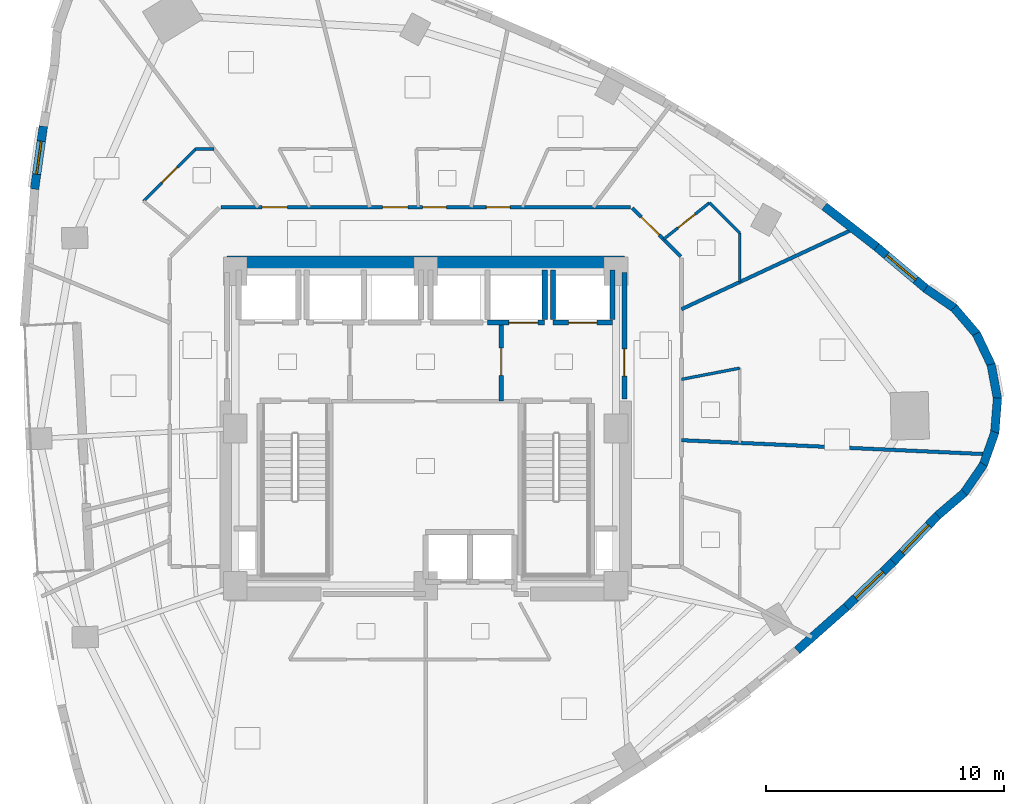
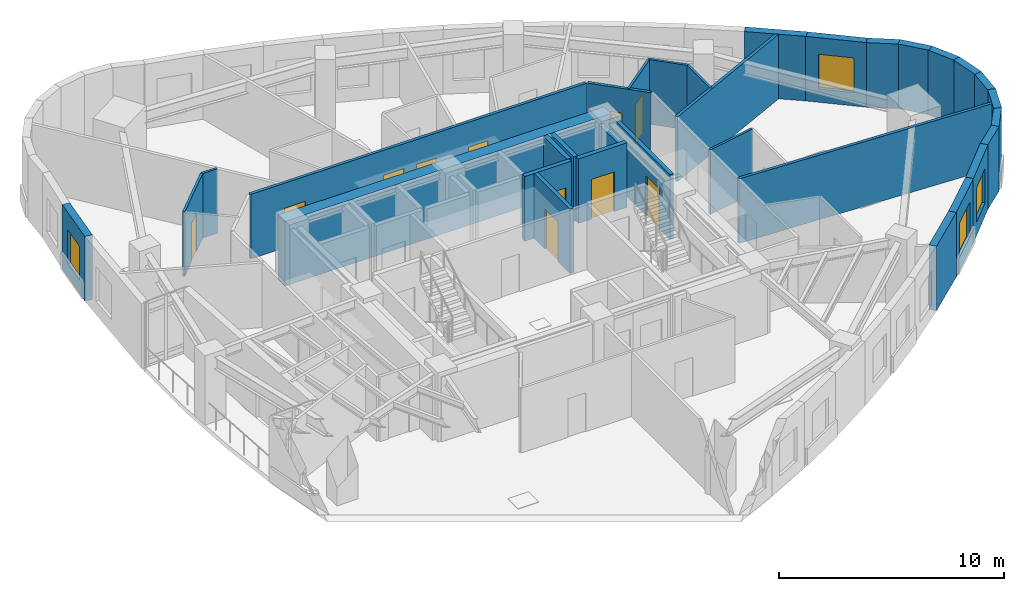
# One storey, part 7 of 12: 32 walls, 11 doors, 4 windows, 15 openings.
"""IFC4 building model written with IfcOpenShell, lengths in metres."""

from ifc_helpers import new_model, si_unit, direction, frame, frame_2d, origin, place, context, subcontext, project, spatial, rectangle, extrude, material, layer, layer_set, type_object, element, fill, save


model = new_model("IFC4")

# Units and contexts
model_context = context("Model", 3, precision=1e-05, world=origin(), true_north=direction((0.0, 1.0)))
body_context = subcontext(model_context, "Body", "Model", "MODEL_VIEW")
ifc_project = project(units=[si_unit("LENGTHUNIT", "METRE"), si_unit("AREAUNIT", "SQUARE_METRE"), si_unit("VOLUMEUNIT", "CUBIC_METRE"), si_unit("PLANEANGLEUNIT", "RADIAN"), si_unit("MASSUNIT", "GRAM", prefix="KILO")], contexts=[model_context])

# Site, building, storey
site_placement = place(None, origin())
site = spatial("IfcSite", under=ifc_project, at=site_placement, CompositionType="ELEMENT")
building_placement = place(site_placement, origin())
building = spatial("IfcBuilding", under=site, at=building_placement, Name="Ndelora Gate Hotel", CompositionType="ELEMENT")
storey_placement = place(building_placement, frame((0.0, 0.0, 138.5)))
storey = spatial("IfcBuildingStorey", under=building, at=storey_placement, Name="L34", CompositionType="ELEMENT", Elevation=138.5)

# Wall, opening, window
ifc_material_1 = material(Name="Clay Brick Masonry", Category="masonry")
ifc_layer_1 = layer(ifc_material_1, 0.360107421875)
ifc_layer_set_1 = layer_set([ifc_layer_1], Name="Clay Brick Masonry")
wall_type_1 = type_object("IfcWallType", Name="WL-BRICK-360", PredefinedType="SOLIDWALL", material=ifc_layer_set_1)
wall_1_placement = place(storey_placement, frame((-16.43603515625, 10.05908203125, 0.0), z_axis=(0.0, 0.0, 1.0), x_axis=(0.138719592598, 0.990331699296, 0.0)))
wall_1 = element("IfcWall", 1, at=wall_1_placement, inside=storey, type_object=wall_type_1, Name="L34 Tower Brick Pier-and-Spandrel Wall TWR-10", PredefinedType="SOLIDWALL", context=body_context, shape_type="SweptSolid", body=[
    extrude(rectangle(XDim=2.669921875, YDim=0.360107421875, at=frame_2d((1.3349609375, 0.0))), origin(), (0.0, 0.0, 1.0), 3.5),
])
opening_1_placement = place(wall_1_placement, frame((0.635009765625, 0.0, 0.719970703125)))
opening_1 = element("IfcOpeningElement", 2, at=opening_1_placement, cuts=wall_1, Name="Opening W02", PredefinedType="OPENING", context=body_context, shape_type="SweptSolid", body=[
    extrude(rectangle(XDim=1.39990234375, YDim=1.840087890625, at=frame_2d((0.699951171875, 0.919921875))), frame((0.0, 0.18994140625, 0.0), z_axis=(0.0, -1.0, 0.0), x_axis=(1.0, 0.0, 0.0)), (0.0, 0.0, 1.0), 0.380126953125),
])
ifc_material_2 = material(Name="Insulated Low-E Double Glazing in Bronze Aluminium Frame", Category="aluminium")
window_type_1 = type_object("IfcWindowType", Name="WN-DEEP-1400", PartitioningType="SINGLE_PANEL", PredefinedType="WINDOW", material=ifc_material_2)
window_1_placement = place(opening_1_placement, origin())
window_1 = element("IfcWindow", 3, at=window_1_placement, inside=storey, type_object=window_type_1, Name="L34 Deep-Set Brick-Pier Window W02", OverallHeight=1.840087890625, OverallWidth=1.39990234375, PartitioningType="SINGLE_PANEL", PredefinedType="WINDOW", context=body_context, shape_type="SweptSolid", body=[
    extrude(rectangle(XDim=1.39990234375, YDim=1.840087890625, at=frame_2d((0.699951171875, 0.919921875))), frame((0.0, 0.030029296875, 0.0), z_axis=(0.0, -1.0, 0.0), x_axis=(1.0, 0.0, 0.0)), (0.0, 0.0, 1.0), 0.06005859375),
])
fill(opening_1, window_1)

# Wall
wall_2_placement = place(storey_placement, frame((17.67578125, -7.498046875, 0.0), z_axis=(0.0, 0.0, 1.0), x_axis=(-0.749310700852, -0.662218599549, 0.0)))
element("IfcWall", 4, at=wall_2_placement, inside=storey, type_object=wall_type_1, Name="L34 Tower Brick Pier-and-Spandrel Wall TWR-36", PredefinedType="SOLIDWALL", context=body_context, shape_type="SweptSolid", body=[
    extrude(rectangle(XDim=2.75830078125, YDim=0.360107421875, at=frame_2d((1.379150390625, 0.0))), origin(), (0.0, 0.0, 1.0), 3.5),
])

# Wall, opening, window
wall_3_placement = place(storey_placement, frame((19.642822265625, -5.6083984375, 0.0), z_axis=(0.0, 0.0, 1.0), x_axis=(-0.721375025509, -0.692544635797, 0.0)))
wall_3 = element("IfcWall", 5, at=wall_3_placement, inside=storey, type_object=wall_type_1, Name="L34 Tower Brick Pier-and-Spandrel Wall TWR-37", PredefinedType="SOLIDWALL", context=body_context, shape_type="SweptSolid", body=[
    extrude(rectangle(XDim=2.777587890625, YDim=0.360107421875, at=frame_2d((1.388671875, 0.0))), origin(), (0.0, 0.0, 1.0), 3.5),
])
opening_2_placement = place(wall_3_placement, frame((0.5888671875, 0.0, 0.719970703125)))
opening_2 = element("IfcOpeningElement", 6, at=opening_2_placement, cuts=wall_3, Name="Opening W03", PredefinedType="OPENING", context=body_context, shape_type="SweptSolid", body=[
    extrude(rectangle(XDim=1.60009765625, YDim=1.8798828125, at=frame_2d((0.800048828125, 0.93994140625))), frame((0.0, 0.18994140625, 0.0), z_axis=(0.0, -1.0, 0.0), x_axis=(1.0, 0.0, 0.0)), (0.0, 0.0, 1.0), 0.380126953125),
])
window_type_2 = type_object("IfcWindowType", Name="WN-CORN-2100", PartitioningType="SINGLE_PANEL", PredefinedType="WINDOW", material=ifc_material_2)
window_2_placement = place(opening_2_placement, origin())
window_2 = element("IfcWindow", 7, at=window_2_placement, inside=storey, type_object=window_type_2, Name="L34 Deep-Set Brick-Pier Window W03", OverallHeight=1.8798828125, OverallWidth=1.60009765625, PartitioningType="SINGLE_PANEL", PredefinedType="WINDOW", context=body_context, shape_type="SweptSolid", body=[
    extrude(rectangle(XDim=1.60009765625, YDim=1.8798828125, at=frame_2d((0.800048828125, 0.93994140625))), frame((0.0, 0.030029296875, 0.0), z_axis=(0.0, -1.0, 0.0), x_axis=(1.0, 0.0, 0.0)), (0.0, 0.0, 1.0), 0.06005859375),
])
fill(opening_2, window_2)

wall_4_placement = place(storey_placement, frame((21.547607421875, -3.623291015625, 0.0), z_axis=(0.0, 0.0, 1.0), x_axis=(-0.692624348053, -0.72129849056, 0.0)))
wall_4 = element("IfcWall", 8, at=wall_4_placement, inside=storey, type_object=wall_type_1, Name="L34 Tower Brick Pier-and-Spandrel Wall TWR-38", PredefinedType="SOLIDWALL", context=body_context, shape_type="SweptSolid", body=[
    extrude(rectangle(XDim=2.80126953125, YDim=0.360107421875, at=frame_2d((1.400634765625, 0.0))), origin(), (0.0, 0.0, 1.0), 3.5),
])
opening_3_placement = place(wall_4_placement, frame((0.6005859375, 0.0, 0.719970703125)))
opening_3 = element("IfcOpeningElement", 9, at=opening_3_placement, cuts=wall_4, Name="Opening W01", PredefinedType="OPENING", context=body_context, shape_type="SweptSolid", body=[
    extrude(rectangle(XDim=1.60009765625, YDim=1.8798828125, at=frame_2d((0.800048828125, 0.93994140625))), frame((0.0, 0.18994140625, 0.0), z_axis=(0.0, -1.0, 0.0), x_axis=(1.0, 0.0, 0.0)), (0.0, 0.0, 1.0), 0.380126953125),
])
window_type_3 = type_object("IfcWindowType", Name="WN-DEEP-1600", PartitioningType="SINGLE_PANEL", PredefinedType="WINDOW", material=ifc_material_2)
window_3_placement = place(opening_3_placement, origin())
window_3 = element("IfcWindow", 10, at=window_3_placement, inside=storey, type_object=window_type_3, Name="L34 Deep-Set Brick-Pier Window W01", OverallHeight=1.8798828125, OverallWidth=1.60009765625, PartitioningType="SINGLE_PANEL", PredefinedType="WINDOW", context=body_context, shape_type="SweptSolid", body=[
    extrude(rectangle(XDim=1.60009765625, YDim=1.8798828125, at=frame_2d((0.800048828125, 0.93994140625))), frame((0.0, 0.030029296875, 0.0), z_axis=(0.0, -1.0, 0.0), x_axis=(1.0, 0.0, 0.0)), (0.0, 0.0, 1.0), 0.06005859375),
])
fill(opening_3, window_3)

# Walls
wall_5_placement = place(storey_placement, frame((22.64111328125, -2.692626953125, 0.0), z_axis=(0.0, 0.0, 1.0), x_axis=(-0.760392276745, -0.649464075578, 0.0)))
element("IfcWall", 11, at=wall_5_placement, inside=storey, type_object=wall_type_1, Name="L34 Tower Brick Pier-and-Spandrel Wall TWR-39", PredefinedType="SOLIDWALL", context=body_context, shape_type="SweptSolid", body=[
    extrude(rectangle(XDim=1.485595703125, YDim=0.360107421875, at=frame_2d((0.74267578125, 0.0))), origin(), (0.0, 0.0, 1.0), 3.5),
])
for number, where, z_axis, x_axis, name in (
    (12, (23.44970703125, -1.5048828125, 0.0), (0.0, 0.0, 1.0), (-0.56647304132, -0.824080271247, 0.0), "L34 Tower Brick Pier-and-Spandrel Wall TWR-40"),
    (13, (23.923095703125, -0.1484375, 0.0), (0.0, 0.0, 1.0), (-0.333816731602, -0.942637995045, 0.0), "L34 Tower Brick Pier-and-Spandrel Wall TWR-41"),
):
    element("IfcWall", number, at=place(storey_placement, frame(where, z_axis=z_axis, x_axis=x_axis)), inside=storey, type_object=wall_type_1, Name=name, PredefinedType="SOLIDWALL", context=body_context, shape_type="SweptSolid", body=[
        extrude(rectangle(XDim=1.486083984375, YDim=0.360107421875, at=frame_2d((0.7431640625, 0.0))), origin(), (0.0, 0.0, 1.0), 3.5),
    ])
for number, where, z_axis, x_axis, name in (
    (14, (24.029296875, 1.2841796875, 0.0), (0.0, 0.0, 1.0), (-0.078543482647, -0.996910688745, 0.0), "L34 Tower Brick Pier-and-Spandrel Wall TWR-42"),
    (15, (23.760986328125, 2.695556640625, 0.0), (0.0, 0.0, 1.0), (0.18238343996, -0.98322748173, 0.0), "L34 Tower Brick Pier-and-Spandrel Wall TWR-43"),
    (16, (23.13671875, 3.989501953125, 0.0), (0.0, 0.0, 1.0), (0.430641383823, -0.902523129088, 0.0), "L34 Tower Brick Pier-and-Spandrel Wall TWR-44"),
):
    element("IfcWall", number, at=place(storey_placement, frame(where, z_axis=z_axis, x_axis=x_axis)), inside=storey, type_object=wall_type_1, Name=name, PredefinedType="SOLIDWALL", context=body_context, shape_type="SweptSolid", body=[
        extrude(rectangle(XDim=1.48583984375, YDim=0.360107421875, at=frame_2d((0.742919921875, 0.0))), origin(), (0.0, 0.0, 1.0), 3.5),
    ])
for number, where, z_axis, x_axis, name in (
    (17, (22.198974609375, 5.07763671875, 0.0), (0.0, 0.0, 1.0), (0.649464075578, -0.760392276745, 0.0), "L34 Tower Brick Pier-and-Spandrel Wall TWR-45"),
    (18, (21.01123046875, 5.885986328125, 0.0), (0.0, 0.0, 1.0), (0.824104250472, -0.566438155808, 0.0), "L34 Tower Brick Pier-and-Spandrel Wall TWR-46"),
):
    element("IfcWall", number, at=place(storey_placement, frame(where, z_axis=z_axis, x_axis=x_axis)), inside=storey, type_object=wall_type_1, Name=name, PredefinedType="SOLIDWALL", context=body_context, shape_type="SweptSolid", body=[
        extrude(rectangle(XDim=1.485595703125, YDim=0.360107421875, at=frame_2d((0.74267578125, 0.0))), origin(), (0.0, 0.0, 1.0), 3.5),
    ])

# Wall, opening, window
wall_6_placement = place(storey_placement, frame((18.91015625, 7.662353515625, 0.0), z_axis=(0.0, 0.0, 1.0), x_axis=(0.764205561234, -0.644972759253, 0.0)))
wall_6 = element("IfcWall", 19, at=wall_6_placement, inside=storey, type_object=wall_type_1, Name="L34 Tower Brick Pier-and-Spandrel Wall TWR-47", PredefinedType="SOLIDWALL", context=body_context, shape_type="SweptSolid", body=[
    extrude(rectangle(XDim=2.801025390625, YDim=0.360107421875, at=frame_2d((1.400390625, 0.0))), origin(), (0.0, 0.0, 1.0), 3.5),
])
opening_4_placement = place(wall_6_placement, frame((0.6005859375, 0.0, 0.719970703125)))
opening_4 = element("IfcOpeningElement", 20, at=opening_4_placement, cuts=wall_6, Name="Opening W01", PredefinedType="OPENING", context=body_context, shape_type="SweptSolid", body=[
    extrude(rectangle(XDim=1.60009765625, YDim=1.8798828125, at=frame_2d((0.800048828125, 0.93994140625))), frame((0.0, 0.18994140625, 0.0), z_axis=(0.0, -1.0, 0.0), x_axis=(1.0, 0.0, 0.0)), (0.0, 0.0, 1.0), 0.380126953125),
])
window_4_placement = place(opening_4_placement, origin())
window_4 = element("IfcWindow", 21, at=window_4_placement, inside=storey, type_object=window_type_3, Name="L34 Deep-Set Brick-Pier Window W01", OverallHeight=1.8798828125, OverallWidth=1.60009765625, PartitioningType="SINGLE_PANEL", PredefinedType="WINDOW", context=body_context, shape_type="SweptSolid", body=[
    extrude(rectangle(XDim=1.60009765625, YDim=1.8798828125, at=frame_2d((0.800048828125, 0.93994140625))), frame((0.0, 0.030029296875, 0.0), z_axis=(0.0, -1.0, 0.0), x_axis=(1.0, 0.0, 0.0)), (0.0, 0.0, 1.0), 0.06005859375),
])
fill(opening_4, window_4)

# Walls
wall_7_placement = place(storey_placement, frame((16.75537109375, 9.33447265625, 0.0), z_axis=(0.0, 0.0, 1.0), x_axis=(0.789792196605, -0.61337450728, 0.0)))
element("IfcWall", 22, at=wall_7_placement, inside=storey, type_object=wall_type_1, Name="L34 Tower Brick Pier-and-Spandrel Wall TWR-48", PredefinedType="SOLIDWALL", context=body_context, shape_type="SweptSolid", body=[
    extrude(rectangle(XDim=2.77734375, YDim=0.360107421875, at=frame_2d((1.388671875, 0.0))), origin(), (0.0, 0.0, 1.0), 3.5),
])
ifc_material_3 = material(Name="Concrete C60/75", Category="concrete")
ifc_layer_2 = layer(ifc_material_3, 0.60009765625)
ifc_layer_set_2 = layer_set([ifc_layer_2], Name="Concrete C60/75")
wall_type_2 = type_object("IfcWallType", Name="WL-CORE-600", PredefinedType="SHEAR", material=ifc_layer_set_2)
wall_8_placement = place(storey_placement, frame((-8.35009765625, 6.949951171875, 0.0), z_axis=(0.0, 0.0, 1.0), x_axis=(1.0, 0.0, 0.0)))
element("IfcWall", 23, at=wall_8_placement, inside=storey, type_object=wall_type_2, Name="L34 Core Shear Wall N", PredefinedType="SHEAR", context=body_context, shape_type="SweptSolid", body=[
    extrude(rectangle(XDim=16.7001953125, YDim=0.60009765625, at=frame_2d((8.35009765625, 0.0))), origin(), (0.0, 0.0, 1.0), 3.5),
])

# Wall, opening, door
ifc_material_4 = material(Name="Concrete C40/50", Category="concrete")
ifc_layer_3 = layer(ifc_material_4, 0.199951171875)
ifc_layer_set_3 = layer_set([ifc_layer_3], Name="Concrete C40/50")
wall_type_3 = type_object("IfcWallType", Name="WL-FIRE-200", PredefinedType="PARTITIONING", material=ifc_layer_set_3)
wall_9_placement = place(storey_placement, frame((3.179931640625, 1.14990234375, 0.0), z_axis=(0.0, 0.0, 1.0), x_axis=(0.0, 1.0, 0.0)))
wall_9 = element("IfcWall", 24, at=wall_9_placement, inside=storey, type_object=wall_type_3, Name="L34 Interior Wall IW-2", PredefinedType="PARTITIONING", context=body_context, shape_type="SweptSolid", body=[
    extrude(rectangle(XDim=3.300048828125, YDim=0.199951171875, at=frame_2d((1.64990234375, 0.0))), origin(), (0.0, 0.0, 1.0), 3.5),
])
opening_5_placement = place(wall_9_placement, frame((1.080078125, 0.0, 0.0)))
opening_5 = element("IfcOpeningElement", 25, at=opening_5_placement, cuts=wall_9, Name="Opening FD1", PredefinedType="OPENING", context=body_context, shape_type="SweptSolid", body=[
    extrude(rectangle(XDim=1.14990234375, YDim=2.14990234375, at=frame_2d((0.574951171875, 1.074951171875))), frame((0.0, 0.10986328125, 0.0), z_axis=(0.0, -1.0, 0.0), x_axis=(1.0, 0.0, 0.0)), (0.0, 0.0, 1.0), 0.219970703125),
])
ifc_material_5 = material(Name="Fire-Rated Timber-Veneer Steel Core", Category="steel")
door_type_1 = type_object("IfcDoorType", Name="DR-FD60", OperationType="SINGLE_SWING_LEFT", PredefinedType="DOOR", material=ifc_material_5)
door_1_placement = place(opening_5_placement, origin())
door_1 = element("IfcDoor", 26, at=door_1_placement, inside=storey, type_object=door_type_1, Name="L34 Firefighting Lobby East Door", OperationType="SINGLE_SWING_LEFT", OverallHeight=2.14990234375, OverallWidth=1.14990234375, PredefinedType="DOOR", context=body_context, shape_type="SweptSolid", body=[
    extrude(rectangle(XDim=1.14990234375, YDim=2.14990234375, at=frame_2d((0.574951171875, 1.074951171875))), frame((0.0, 0.02490234375, 0.0), z_axis=(0.0, -1.0, 0.0), x_axis=(1.0, 0.0, 0.0)), (0.0, 0.0, 1.0), 0.050048828125),
])
fill(opening_5, door_1)

wall_10_placement = place(storey_placement, frame((8.35009765625, 1.25, 0.0), z_axis=(0.0, 0.0, 1.0), x_axis=(0.0, 1.0, 0.0)))
wall_10 = element("IfcWall", 27, at=wall_10_placement, inside=storey, type_object=wall_type_3, Name="L34 Interior Wall IW-2", PredefinedType="PARTITIONING", context=body_context, shape_type="SweptSolid", body=[
    extrude(rectangle(XDim=5.300048828125, YDim=0.199951171875, at=frame_2d((2.64990234375, 0.0))), origin(), (0.0, 0.0, 1.0), 3.5),
])
opening_6_placement = place(wall_10_placement, frame((0.949951171875, 0.0, 0.0)))
opening_6 = element("IfcOpeningElement", 28, at=opening_6_placement, cuts=wall_10, Name="Opening FD1", PredefinedType="OPENING", context=body_context, shape_type="SweptSolid", body=[
    extrude(rectangle(XDim=1.14990234375, YDim=2.14990234375, at=frame_2d((0.574951171875, 1.074951171875))), frame((0.0, 0.10986328125, 0.0), z_axis=(0.0, -1.0, 0.0), x_axis=(1.0, 0.0, 0.0)), (0.0, 0.0, 1.0), 0.219970703125),
])
door_2_placement = place(opening_6_placement, origin())
door_2 = element("IfcDoor", 29, at=door_2_placement, inside=storey, type_object=door_type_1, Name="L34 Firefighting Lobby East Corridor Door", OperationType="SINGLE_SWING_RIGHT", OverallHeight=2.14990234375, OverallWidth=1.14990234375, PredefinedType="DOOR", context=body_context, shape_type="SweptSolid", body=[
    extrude(rectangle(XDim=1.14990234375, YDim=2.14990234375, at=frame_2d((0.574951171875, 1.074951171875))), frame((0.0, 0.02490234375, 0.0), z_axis=(0.0, -1.0, 0.0), x_axis=(1.0, 0.0, 0.0)), (0.0, 0.0, 1.0), 0.050048828125),
])
fill(opening_6, door_2)

ifc_material_6 = material(Name="Fire-Rated Gypsum Stud Partition", Category="gypsum")
ifc_layer_4 = layer(ifc_material_6, 0.14990234375)
ifc_layer_set_4 = layer_set([ifc_layer_4], Name="Fire-Rated Gypsum Stud Partition")
wall_type_4 = type_object("IfcWallType", Name="WL-PART-150", PredefinedType="PARTITIONING", material=ifc_layer_set_4)
wall_11_placement = place(storey_placement, frame((8.67822265625, 9.271728515625, 0.0), z_axis=(0.0, 0.0, 1.0), x_axis=(0.707106781187, -0.707106781187, 0.0)))
wall_11 = element("IfcWall", 30, at=wall_11_placement, inside=storey, type_object=wall_type_4, Name="L34 Interior Wall IW-5", PredefinedType="PARTITIONING", context=body_context, shape_type="SweptSolid", body=[
    extrude(rectangle(XDim=2.889892578125, YDim=0.14990234375, at=frame_2d((1.44482421875, 0.0))), origin(), (0.0, 0.0, 1.0), 3.5),
])
opening_7_placement = place(wall_11_placement, frame((0.543212890625, 0.0, 0.0)))
opening_7 = element("IfcOpeningElement", 31, at=opening_7_placement, cuts=wall_11, Name="Opening D07", PredefinedType="OPENING", context=body_context, shape_type="SweptSolid", body=[
    extrude(rectangle(XDim=1.06005859375, YDim=2.14990234375, at=frame_2d((0.530029296875, 1.074951171875))), frame((0.0, 0.0849609375, 0.0), z_axis=(0.0, -1.0, 0.0), x_axis=(1.0, 0.0, 0.0)), (0.0, 0.0, 1.0), 0.169921875),
])
ifc_material_7 = material(Name="Diplomatic Suite Acoustic Entrance Door", Category="wood")
door_type_2 = type_object("IfcDoorType", Name="DR-SUITE-1060", OperationType="SINGLE_SWING_LEFT", PredefinedType="DOOR", material=ifc_material_7)
door_3_placement = place(opening_7_placement, origin())
door_3 = element("IfcDoor", 32, at=door_3_placement, inside=storey, type_object=door_type_2, Name="L34 South Club Suite 3705 Entrance Door", OperationType="SINGLE_SWING_RIGHT", OverallHeight=2.14990234375, OverallWidth=1.06005859375, PredefinedType="DOOR", context=body_context, shape_type="SweptSolid", body=[
    extrude(rectangle(XDim=1.06005859375, YDim=2.14990234375, at=frame_2d((0.530029296875, 1.074951171875))), frame((0.0, 0.02490234375, 0.0), z_axis=(0.0, -1.0, 0.0), x_axis=(1.0, 0.0, 0.0)), (0.0, 0.0, 1.0), 0.050048828125),
])
fill(opening_7, door_3)

# Wall, openings, doors
wall_12_placement = place(storey_placement, frame((-8.610107421875, 9.300048828125, 0.0), z_axis=(0.0, 0.0, 1.0), x_axis=(1.0, 0.0, 0.0)))
wall_12 = element("IfcWall", 33, at=wall_12_placement, inside=storey, type_object=wall_type_4, Name="L34 Interior Wall IW-5", PredefinedType="PARTITIONING", context=body_context, shape_type="SweptSolid", body=[
    extrude(rectangle(XDim=17.22021484375, YDim=0.14990234375, at=frame_2d((8.610107421875, 0.0))), origin(), (0.0, 0.0, 1.0), 3.5),
])
opening_8_placement = place(wall_12_placement, frame((11.156005859375, 0.0, 0.0)))
opening_8 = element("IfcOpeningElement", 34, at=opening_8_placement, cuts=wall_12, Name="Opening D01", PredefinedType="OPENING", context=body_context, shape_type="SweptSolid", body=[
    extrude(rectangle(XDim=1.0, YDim=2.14990234375, at=frame_2d((0.5, 1.074951171875))), frame((0.0, 0.0849609375, 0.0), z_axis=(0.0, -1.0, 0.0), x_axis=(1.0, 0.0, 0.0)), (0.0, 0.0, 1.0), 0.169921875),
])
opening_9_placement = place(wall_12_placement, frame((6.799072265625, 0.0, 0.0)))
opening_9 = element("IfcOpeningElement", 35, at=opening_9_placement, cuts=wall_12, Name="Opening D07", PredefinedType="OPENING", context=body_context, shape_type="SweptSolid", body=[
    extrude(rectangle(XDim=1.06005859375, YDim=2.14990234375, at=frame_2d((0.530029296875, 1.074951171875))), frame((0.0, 0.0849609375, 0.0), z_axis=(0.0, -1.0, 0.0), x_axis=(1.0, 0.0, 0.0)), (0.0, 0.0, 1.0), 0.169921875),
])
opening_10_placement = place(wall_12_placement, frame((1.7373046875, 0.0, 0.0)))
opening_10 = element("IfcOpeningElement", 36, at=opening_10_placement, cuts=wall_12, Name="Opening D07", PredefinedType="OPENING", context=body_context, shape_type="SweptSolid", body=[
    extrude(rectangle(XDim=1.06005859375, YDim=2.14990234375, at=frame_2d((0.530029296875, 1.074951171875))), frame((0.0, 0.0849609375, 0.0), z_axis=(0.0, -1.0, 0.0), x_axis=(1.0, 0.0, 0.0)), (0.0, 0.0, 1.0), 0.169921875),
])
opening_11_placement = place(wall_12_placement, frame((8.47998046875, 0.0, 0.0)))
opening_11 = element("IfcOpeningElement", 37, at=opening_11_placement, cuts=wall_12, Name="Opening D01", PredefinedType="OPENING", context=body_context, shape_type="SweptSolid", body=[
    extrude(rectangle(XDim=1.0, YDim=2.14990234375, at=frame_2d((0.5, 1.074951171875))), frame((0.0, 0.0849609375, 0.0), z_axis=(0.0, -1.0, 0.0), x_axis=(1.0, 0.0, 0.0)), (0.0, 0.0, 1.0), 0.169921875),
])
ifc_material_8 = material(Name="Acoustic Hardwood Guest Entrance Door", Category="wood")
door_type_3 = type_object("IfcDoorType", Name="DR-COR-1000", OperationType="SINGLE_SWING_LEFT", PredefinedType="DOOR", material=ifc_material_8)
door_4_placement = place(opening_8_placement, origin())
door_4 = element("IfcDoor", 38, at=door_4_placement, inside=storey, type_object=door_type_3, Name="L34 Club King Guest Room 3706 Entrance Door", OperationType="SINGLE_SWING_LEFT", OverallHeight=2.14990234375, OverallWidth=1.0, PredefinedType="DOOR", context=body_context, shape_type="SweptSolid", body=[
    extrude(rectangle(XDim=1.0, YDim=2.14990234375, at=frame_2d((0.5, 1.074951171875))), frame((0.0, 0.02490234375, 0.0), z_axis=(0.0, -1.0, 0.0), x_axis=(1.0, 0.0, 0.0)), (0.0, 0.0, 1.0), 0.050048828125),
])
fill(opening_8, door_4)
door_5_placement = place(opening_11_placement, origin())
door_5 = element("IfcDoor", 39, at=door_5_placement, inside=storey, type_object=door_type_3, Name="L34 Housekeeping and Linen Room Entrance Door", OperationType="SINGLE_SWING_LEFT", OverallHeight=2.14990234375, OverallWidth=1.0, PredefinedType="DOOR", context=body_context, shape_type="SweptSolid", body=[
    extrude(rectangle(XDim=1.0, YDim=2.14990234375, at=frame_2d((0.5, 1.074951171875))), frame((0.0, 0.02490234375, 0.0), z_axis=(0.0, -1.0, 0.0), x_axis=(1.0, 0.0, 0.0)), (0.0, 0.0, 1.0), 0.050048828125),
])
fill(opening_11, door_5)
door_6_placement = place(opening_9_placement, origin())
door_6 = element("IfcDoor", 40, at=door_6_placement, inside=storey, type_object=door_type_2, Name="L34 Corner Club Suite 3707 Entrance Door", OperationType="SINGLE_SWING_RIGHT", OverallHeight=2.14990234375, OverallWidth=1.06005859375, PredefinedType="DOOR", context=body_context, shape_type="SweptSolid", body=[
    extrude(rectangle(XDim=1.06005859375, YDim=2.14990234375, at=frame_2d((0.530029296875, 1.074951171875))), frame((0.0, 0.02490234375, 0.0), z_axis=(0.0, -1.0, 0.0), x_axis=(1.0, 0.0, 0.0)), (0.0, 0.0, 1.0), 0.050048828125),
])
fill(opening_9, door_6)
door_7_placement = place(opening_10_placement, origin())
door_7 = element("IfcDoor", 41, at=door_7_placement, inside=storey, type_object=door_type_2, Name="L34 Club Twin Junior Suite 3708 Entrance Door", OperationType="SINGLE_SWING_LEFT", OverallHeight=2.14990234375, OverallWidth=1.06005859375, PredefinedType="DOOR", context=body_context, shape_type="SweptSolid", body=[
    extrude(rectangle(XDim=1.06005859375, YDim=2.14990234375, at=frame_2d((0.530029296875, 1.074951171875))), frame((0.0, 0.02490234375, 0.0), z_axis=(0.0, -1.0, 0.0), x_axis=(1.0, 0.0, 0.0)), (0.0, 0.0, 1.0), 0.050048828125),
])
fill(opening_10, door_7)

# Walls
wall_13_placement = place(storey_placement, frame((10.75, -0.4921875, 0.0), z_axis=(0.0, 0.0, 1.0), x_axis=(0.998952227347, -0.045765133883, 0.0)))
element("IfcWall", 42, at=wall_13_placement, inside=storey, type_object=wall_type_4, Name="L34 Interior Wall IW-5", PredefinedType="PARTITIONING", context=body_context, shape_type="SweptSolid", body=[
    extrude(rectangle(XDim=12.8564453125, YDim=0.14990234375, at=frame_2d((6.42822265625, 0.0))), origin(), (0.0, 0.0, 1.0), 3.5),
])
wall_14_placement = place(storey_placement, frame((10.75, 5.01220703125, 0.0), z_axis=(0.0, 0.0, 1.0), x_axis=(0.90633944919, 0.422550355393, 0.0)))
element("IfcWall", 43, at=wall_14_placement, inside=storey, type_object=wall_type_4, Name="L34 Interior Wall IW-5", PredefinedType="PARTITIONING", context=body_context, shape_type="SweptSolid", body=[
    extrude(rectangle(XDim=7.977294921875, YDim=0.14990234375, at=frame_2d((3.98876953125, 0.0))), origin(), (0.0, 0.0, 1.0), 3.5),
])

# Wall, opening, door
ifc_layer_5 = layer(ifc_material_4, 0.219970703125)
ifc_layer_set_5 = layer_set([ifc_layer_5], Name="Concrete C40/50")
wall_type_5 = type_object("IfcWallType", Name="WL-SHAFT-220", PredefinedType="PARTITIONING", material=ifc_layer_set_5)
wall_15_placement = place(storey_placement, frame((5.35009765625, 4.449951171875, 0.0), z_axis=(0.0, 0.0, 1.0), x_axis=(1.0, 0.0, 0.0)))
wall_15 = element("IfcWall", 44, at=wall_15_placement, inside=storey, type_object=wall_type_5, Name="L34 Interior Wall IW-1", PredefinedType="PARTITIONING", context=body_context, shape_type="SweptSolid", body=[
    extrude(rectangle(XDim=2.5, YDim=0.219970703125, at=frame_2d((1.25, 0.0))), origin(), (0.0, 0.0, 1.0), 3.5),
])
opening_12_placement = place(wall_15_placement, frame((0.659912109375, 0.0, 0.0)))
opening_12 = element("IfcOpeningElement", 45, at=opening_12_placement, cuts=wall_15, Name="Opening LD5", PredefinedType="OPENING", context=body_context, shape_type="SweptSolid", body=[
    extrude(rectangle(XDim=1.179931640625, YDim=2.14990234375, at=frame_2d((0.58984375, 1.074951171875))), frame((0.0, 0.1201171875, 0.0), z_axis=(0.0, -1.0, 0.0), x_axis=(1.0, 0.0, 0.0)), (0.0, 0.0, 1.0), 0.239990234375),
])
ifc_material_9 = material(Name="Firefighting Lift Stainless Sliding Landing Door", Category="metal")
door_type_4 = type_object("IfcDoorType", Name="DR-LD5", OperationType="DOUBLE_DOOR_SLIDING", PredefinedType="DOOR", material=ifc_material_9)
door_8_placement = place(opening_12_placement, origin())
door_8 = element("IfcDoor", 46, at=door_8_placement, inside=storey, type_object=door_type_4, Name="L34 Lift Landing Sliding Door FFL2", OperationType="DOUBLE_DOOR_SLIDING", OverallHeight=2.14990234375, OverallWidth=1.179931640625, PredefinedType="DOOR", context=body_context, shape_type="SweptSolid", body=[
    extrude(rectangle(XDim=1.179931640625, YDim=2.14990234375, at=frame_2d((0.58984375, 1.074951171875))), frame((0.0, 0.02490234375, 0.0), z_axis=(0.0, -1.0, 0.0), x_axis=(1.0, 0.0, 0.0)), (0.0, 0.0, 1.0), 0.050048828125),
])
fill(opening_12, door_8)

# Walls
wall_16_placement = place(storey_placement, frame((5.35009765625, 4.570068359375, 0.0), z_axis=(0.0, 0.0, 1.0), x_axis=(0.0, 1.0, 0.0)))
element("IfcWall", 47, at=wall_16_placement, inside=storey, type_object=wall_type_5, Name="L34 Interior Wall IW-1", PredefinedType="PARTITIONING", context=body_context, shape_type="SweptSolid", body=[
    extrude(rectangle(XDim=2.079833984375, YDim=0.219970703125, at=frame_2d((1.0400390625, 0.0))), origin(), (0.0, 0.0, 1.0), 3.5),
])
wall_17_placement = place(storey_placement, frame((7.85009765625, 4.570068359375, 0.0), z_axis=(0.0, 0.0, 1.0), x_axis=(0.0, 1.0, 0.0)))
element("IfcWall", 48, at=wall_17_placement, inside=storey, type_object=wall_type_5, Name="L34 Interior Wall IW-1", PredefinedType="PARTITIONING", context=body_context, shape_type="SweptSolid", body=[
    extrude(rectangle(XDim=2.079833984375, YDim=0.219970703125, at=frame_2d((1.0400390625, 0.0))), origin(), (0.0, 0.0, 1.0), 3.1201171875),
])

# Wall, opening, door
wall_18_placement = place(storey_placement, frame((2.60009765625, 4.449951171875, 0.0), z_axis=(0.0, 0.0, 1.0), x_axis=(1.0, 0.0, 0.0)))
wall_18 = element("IfcWall", 49, at=wall_18_placement, inside=storey, type_object=wall_type_5, Name="L34 Interior Wall IW-1", PredefinedType="PARTITIONING", context=body_context, shape_type="SweptSolid", body=[
    extrude(rectangle(XDim=2.39990234375, YDim=0.219970703125, at=frame_2d((1.199951171875, 0.0))), origin(), (0.0, 0.0, 1.0), 3.5),
])
opening_13_placement = place(wall_18_placement, frame((0.89990234375, 0.0, 0.0)))
opening_13 = element("IfcOpeningElement", 50, at=opening_13_placement, cuts=wall_18, Name="Opening LD6", PredefinedType="OPENING", context=body_context, shape_type="SweptSolid", body=[
    extrude(rectangle(XDim=1.219970703125, YDim=2.14990234375, at=frame_2d((0.60986328125, 1.074951171875))), frame((0.0, 0.1201171875, 0.0), z_axis=(0.0, -1.0, 0.0), x_axis=(1.0, 0.0, 0.0)), (0.0, 0.0, 1.0), 0.239990234375),
])
ifc_material_10 = material(Name="Heavy-Duty Service Lift Sliding Landing Door", Category="wood")
door_type_5 = type_object("IfcDoorType", Name="DR-LD6", OperationType="DOUBLE_DOOR_SLIDING", PredefinedType="DOOR", material=ifc_material_10)
door_9_placement = place(opening_13_placement, origin())
door_9 = element("IfcDoor", 51, at=door_9_placement, inside=storey, type_object=door_type_5, Name="L34 Lift Landing Sliding Door SVL2", OperationType="DOUBLE_DOOR_SLIDING", OverallHeight=2.14990234375, OverallWidth=1.219970703125, PredefinedType="DOOR", context=body_context, shape_type="SweptSolid", body=[
    extrude(rectangle(XDim=1.219970703125, YDim=2.14990234375, at=frame_2d((0.60986328125, 1.074951171875))), frame((0.0, 0.02490234375, 0.0), z_axis=(0.0, -1.0, 0.0), x_axis=(1.0, 0.0, 0.0)), (0.0, 0.0, 1.0), 0.050048828125),
])
fill(opening_13, door_9)

# Walls
wall_19_placement = place(storey_placement, frame((5.0, 4.570068359375, 0.0), z_axis=(0.0, 0.0, 1.0), x_axis=(0.0, 1.0, 0.0)))
element("IfcWall", 52, at=wall_19_placement, inside=storey, type_object=wall_type_5, Name="L34 Interior Wall IW-1", PredefinedType="PARTITIONING", context=body_context, shape_type="SweptSolid", body=[
    extrude(rectangle(XDim=2.079833984375, YDim=0.219970703125, at=frame_2d((1.0400390625, 0.0))), origin(), (0.0, 0.0, 1.0), 3.5),
])
ifc_material_11 = material(Name="Moisture-Resistant Bathroom Tile Partition", Category="gypsum")
ifc_layer_6 = layer(ifc_material_11, 0.1201171875)
ifc_layer_set_6 = layer_set([ifc_layer_6], Name="Moisture-Resistant Bathroom Tile Partition")
wall_type_6 = type_object("IfcWallType", Name="WL-WET-120", PredefinedType="PARTITIONING", material=ifc_layer_set_6)
wall_20_placement = place(storey_placement, frame((13.199951171875, 2.53662109375, 0.0), z_axis=(0.0, 0.0, 1.0), x_axis=(-0.982039238769, -0.188676796447, 0.0)))
element("IfcWall", 53, at=wall_20_placement, inside=storey, type_object=wall_type_6, Name="L34 Interior Wall IW-7", PredefinedType="PARTITIONING", context=body_context, shape_type="SweptSolid", body=[
    extrude(rectangle(XDim=2.494873046875, YDim=0.1201171875, at=frame_2d((1.24755859375, 0.0))), origin(), (0.0, 0.0, 1.0), 3.5),
])

# Wall, opening, door
wall_21_placement = place(storey_placement, frame((9.998046875, 7.951904296875, 0.0), z_axis=(0.0, 0.0, 1.0), x_axis=(0.782652575374, 0.622458790813, 0.0)))
wall_21 = element("IfcWall", 54, at=wall_21_placement, inside=storey, type_object=wall_type_6, Name="L34 Interior Wall IW-7", PredefinedType="PARTITIONING", context=body_context, shape_type="SweptSolid", body=[
    extrude(rectangle(XDim=2.4658203125, YDim=0.1201171875, at=frame_2d((1.23291015625, 0.0))), origin(), (0.0, 0.0, 1.0), 3.5),
])
opening_14_placement = place(wall_21_placement, frame((0.77294921875, 0.0, 0.0)))
opening_14 = element("IfcOpeningElement", 55, at=opening_14_placement, cuts=wall_21, Name="Opening D03", PredefinedType="OPENING", context=body_context, shape_type="SweptSolid", body=[
    extrude(rectangle(XDim=0.919921875, YDim=2.10009765625, at=frame_2d((0.4599609375, 1.050048828125))), frame((0.0, 0.070068359375, 0.0), z_axis=(0.0, -1.0, 0.0), x_axis=(1.0, 0.0, 0.0)), (0.0, 0.0, 1.0), 0.14013671875),
])
ifc_material_12 = material(Name="Moisture-Resistant Hardwood En-Suite Door", Category="wood")
door_type_6 = type_object("IfcDoorType", Name="DR-BATH-920", OperationType="SINGLE_SWING_LEFT", PredefinedType="DOOR", material=ifc_material_12)
door_10_placement = place(opening_14_placement, origin())
door_10 = element("IfcDoor", 56, at=door_10_placement, inside=storey, type_object=door_type_6, Name="L34 En-suite Bathroom 3705 Door", OperationType="SINGLE_SWING_RIGHT", OverallHeight=2.10009765625, OverallWidth=0.919921875, PredefinedType="DOOR", context=body_context, shape_type="SweptSolid", body=[
    extrude(rectangle(XDim=0.919921875, YDim=2.10009765625, at=frame_2d((0.4599609375, 1.050048828125))), frame((0.0, 0.02490234375, 0.0), z_axis=(0.0, -1.0, 0.0), x_axis=(1.0, 0.0, 0.0)), (0.0, 0.0, 1.0), 0.050048828125),
])
fill(opening_14, door_10)

# Walls
wall_22_placement = place(storey_placement, frame((11.927978515625, 9.48681640625, 0.0), z_axis=(0.0, 0.0, 1.0), x_axis=(0.707106781187, -0.707106781187, 0.0)))
element("IfcWall", 57, at=wall_22_placement, inside=storey, type_object=wall_type_6, Name="L34 Interior Wall IW-7", PredefinedType="PARTITIONING", context=body_context, shape_type="SweptSolid", body=[
    extrude(rectangle(XDim=1.798828125, YDim=0.1201171875, at=frame_2d((0.8994140625, 0.0))), origin(), (0.0, 0.0, 1.0), 3.5),
])
wall_23_placement = place(storey_placement, frame((13.199951171875, 6.154296875, 0.0), z_axis=(0.0, 0.0, 1.0), x_axis=(0.0, 1.0, 0.0)))
element("IfcWall", 58, at=wall_23_placement, inside=storey, type_object=wall_type_6, Name="L34 Interior Wall IW-7", PredefinedType="PARTITIONING", context=body_context, shape_type="SweptSolid", body=[
    extrude(rectangle(XDim=2.060546875, YDim=0.1201171875, at=frame_2d((1.0302734375, 0.0))), origin(), (0.0, 0.0, 1.0), 3.5),
])

# Wall, opening, door
wall_24_placement = place(storey_placement, frame((-11.857421875, 9.5576171875, 0.0), z_axis=(0.0, 0.0, 1.0), x_axis=(0.7071461491, 0.707067411081, 0.0)))
wall_24 = element("IfcWall", 59, at=wall_24_placement, inside=storey, type_object=wall_type_6, Name="L34 Interior Wall IW-7", PredefinedType="PARTITIONING", context=body_context, shape_type="SweptSolid", body=[
    extrude(rectangle(XDim=3.1005859375, YDim=0.1201171875, at=frame_2d((1.55029296875, 0.0))), origin(), (0.0, 0.0, 1.0), 3.5),
])
opening_15_placement = place(wall_24_placement, frame((1.09033203125, 0.0, 0.0)))
opening_15 = element("IfcOpeningElement", 60, at=opening_15_placement, cuts=wall_24, Name="Opening D03", PredefinedType="OPENING", context=body_context, shape_type="SweptSolid", body=[
    extrude(rectangle(XDim=0.919921875, YDim=2.10009765625, at=frame_2d((0.4599609375, 1.050048828125))), frame((0.0, 0.070068359375, 0.0), z_axis=(0.0, -1.0, 0.0), x_axis=(1.0, 0.0, 0.0)), (0.0, 0.0, 1.0), 0.14013671875),
])
door_11_placement = place(opening_15_placement, origin())
door_11 = element("IfcDoor", 61, at=door_11_placement, inside=storey, type_object=door_type_6, Name="L34 En-suite Bathroom 3709 Door", OperationType="SINGLE_SWING_RIGHT", OverallHeight=2.10009765625, OverallWidth=0.919921875, PredefinedType="DOOR", context=body_context, shape_type="SweptSolid", body=[
    extrude(rectangle(XDim=0.919921875, YDim=2.10009765625, at=frame_2d((0.4599609375, 1.050048828125))), frame((0.0, 0.02490234375, 0.0), z_axis=(0.0, -1.0, 0.0), x_axis=(1.0, 0.0, 0.0)), (0.0, 0.0, 1.0), 0.050048828125),
])
fill(opening_15, door_11)

# Wall
wall_25_placement = place(storey_placement, frame((-8.89501953125, 11.75, 0.0), z_axis=(0.0, 0.0, 1.0), x_axis=(-1.0, 0.0, 0.0)))
element("IfcWall", 62, at=wall_25_placement, inside=storey, type_object=wall_type_6, Name="L34 Interior Wall IW-7", PredefinedType="PARTITIONING", context=body_context, shape_type="SweptSolid", body=[
    extrude(rectangle(XDim=0.769775390625, YDim=0.1201171875, at=frame_2d((0.384765625, 0.0))), origin(), (0.0, 0.0, 1.0), 3.5),
])

save(model, "model.ifc")
